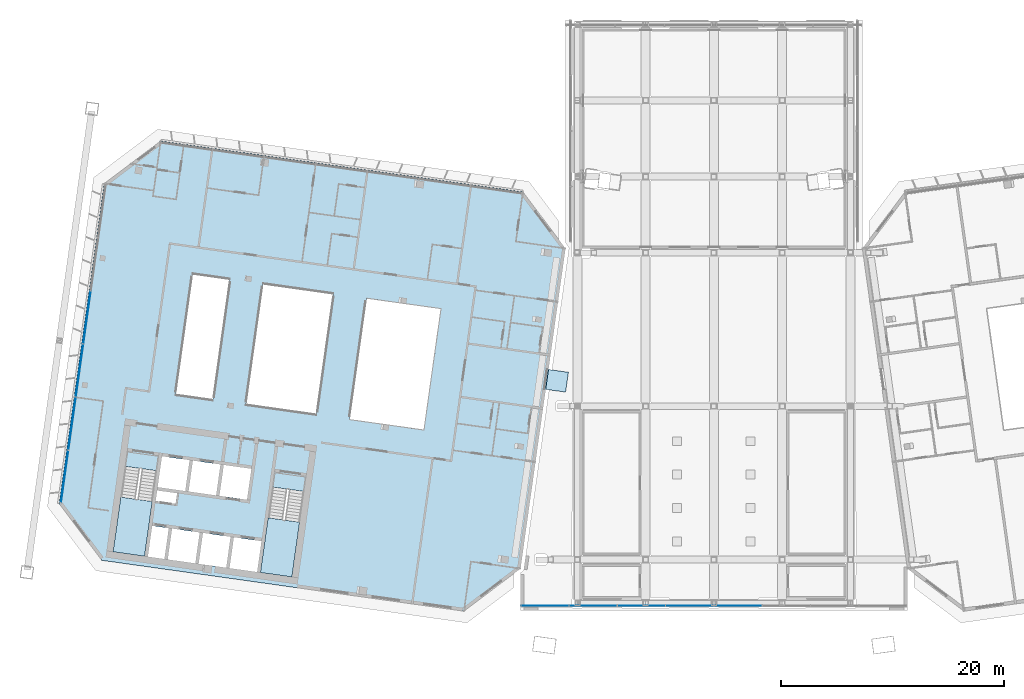
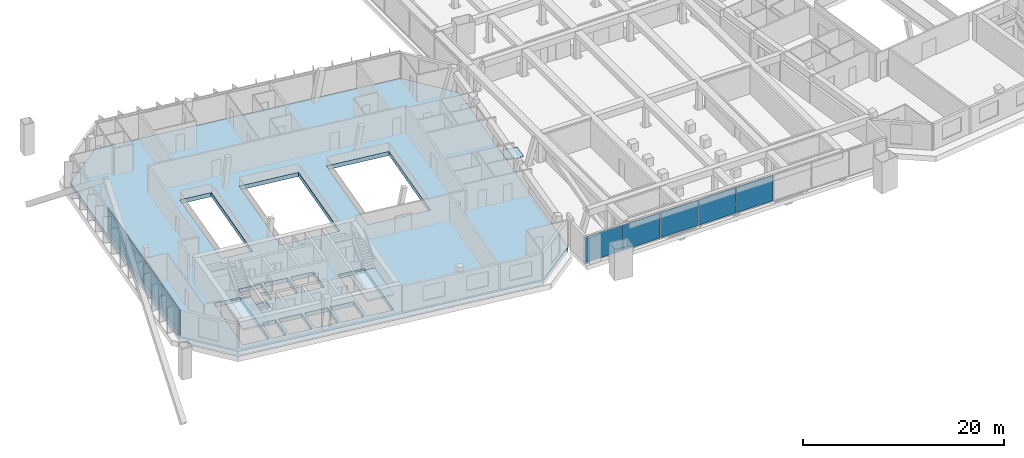
# One storey, part 13 of 28: 10 plates, 3 slabs, 4 elements without a shape of their own.
"""IFC4 building model written with IfcOpenShell, lengths in metres."""

from ifc_helpers import new_model, si_unit, direction, frame, origin, origin_2d, place, context, subcontext, project, spatial, polyline, rectangle, outline, extrude, material, layer, layer_set, type_object, element, aggregate, save


model = new_model("IFC4")

# Units and contexts
model_context = context("Model", 3, precision=1e-05, world=origin(), true_north=direction((0.0, 1.0)))
body_context = subcontext(model_context, "Body", "Model", "MODEL_VIEW")
ifc_project = project(units=[si_unit("LENGTHUNIT", "METRE"), si_unit("AREAUNIT", "SQUARE_METRE"), si_unit("VOLUMEUNIT", "CUBIC_METRE"), si_unit("PLANEANGLEUNIT", "RADIAN"), si_unit("MASSUNIT", "GRAM", prefix="KILO")], contexts=[model_context])

# Site, building, storey
site_placement = place(None, origin())
site = spatial("IfcSite", under=ifc_project, at=site_placement, CompositionType="ELEMENT")
building_placement = place(site_placement, origin())
building = spatial("IfcBuilding", under=site, at=building_placement, Name="Mirante Cascada Hotel Towers", CompositionType="ELEMENT")
storey_placement = place(building_placement, frame((0.0, 0.0, 262.2)))
storey = spatial("IfcBuildingStorey", under=building, at=storey_placement, Name="L63", CompositionType="ELEMENT", Elevation=262.2)

# Curtain wall, plates
ifc_material_1 = material(Name="Aluminium mullion and transom frame with clear laminated glass", Category="aluminium")
curtain_wall_type_1 = type_object("IfcCurtainWallType", Name="End ribbon curtain wall ECW2", PredefinedType="NOTDEFINED", material=ifc_material_1)
curtain_wall_1_placement = place(storey_placement, origin())
curtain_wall_1 = element("IfcCurtainWall", 1, at=curtain_wall_1_placement, inside=storey, type_object=curtain_wall_type_1, Name="Outer end wall T1 L63", PredefinedType="NOTDEFINED")
ifc_material_2 = material(Name="Clear laminated glass", Category="glass")
ifc_layer_1 = layer(ifc_material_2, 0.034)
ifc_layer_set_1 = layer_set([ifc_layer_1], Name="ECW2 glass panel 34")
plate_type_1 = type_object("IfcPlateType", Name="ECW2 glass panel 34", PredefinedType="CURTAIN_PANEL", material=ifc_layer_set_1)
plate_1_placement = place(storey_placement, frame((-58.2609, -10.1616, 0.1), z_axis=(0.0, 0.0, 1.0), x_axis=(0.1391731, 0.9902681, 0.0)))
plate_1 = element("IfcPlate", 2, at=plate_1_placement, type_object=plate_type_1, Name="ECW2 panel 1", PredefinedType="CURTAIN_PANEL", context=body_context, shape_type="SweptSolid", body=[
    extrude(rectangle(XDim=4.7151, YDim=0.034, at=origin_2d()), origin(), (0.0, 0.0, 1.0), 3.1),
])
plate_2_placement = place(storey_placement, frame((-57.5934, -5.4119, 0.1), z_axis=(0.0, 0.0, 1.0), x_axis=(0.1391731, 0.9902681, 0.0)))
plate_2 = element("IfcPlate", 3, at=plate_2_placement, type_object=plate_type_1, Name="ECW2 panel 2", PredefinedType="CURTAIN_PANEL", context=body_context, shape_type="SweptSolid", body=[
    extrude(rectangle(XDim=4.7476, YDim=0.034, at=origin_2d()), origin(), (0.0, 0.0, 1.0), 3.1),
])
plate_3_placement = place(storey_placement, frame((-56.9236, -0.6461, 0.1), z_axis=(0.0, 0.0, 1.0), x_axis=(0.1391731, 0.9902681, 0.0)))
plate_3 = element("IfcPlate", 4, at=plate_3_placement, type_object=plate_type_1, Name="ECW2 panel 3", PredefinedType="CURTAIN_PANEL", context=body_context, shape_type="SweptSolid", body=[
    extrude(rectangle(XDim=4.7476, YDim=0.034, at=origin_2d()), origin(), (0.0, 0.0, 1.0), 3.1),
])
plate_4_placement = place(storey_placement, frame((-56.2538, 4.1197, 0.1), z_axis=(0.0, 0.0, 1.0), x_axis=(0.1391731, 0.9902681, 0.0)))
plate_4 = element("IfcPlate", 5, at=plate_4_placement, type_object=plate_type_1, Name="ECW2 panel 4", PredefinedType="CURTAIN_PANEL", context=body_context, shape_type="SweptSolid", body=[
    extrude(rectangle(XDim=4.7476, YDim=0.034, at=origin_2d()), origin(), (0.0, 0.0, 1.0), 3.1),
])
aggregate(curtain_wall_1, [plate_1, plate_2, plate_3, plate_4])

ifc_material_3 = material(Name="Aluminium mullion and transom frame with clear laminated glass", Category="aluminium")
curtain_wall_type_2 = type_object("IfcCurtainWallType", Name="Sky park deck curtain wall ECW5", PredefinedType="NOTDEFINED", material=ifc_material_3)
curtain_wall_2_placement = place(storey_placement, origin())
curtain_wall_2 = element("IfcCurtainWall", 6, at=curtain_wall_2_placement, inside=storey, type_object=curtain_wall_type_2, Name="Sky park glazing L63 run 1", PredefinedType="NOTDEFINED")
ifc_material_4 = material(Name="Clear laminated glass", Category="glass")
ifc_layer_2 = layer(ifc_material_4, 0.032)
ifc_layer_set_2 = layer_set([ifc_layer_2], Name="ECW5 glass panel 32")
plate_type_2 = type_object("IfcPlateType", Name="ECW5 glass panel 32", PredefinedType="CURTAIN_PANEL", material=ifc_layer_set_2)
plate_5_placement = place(storey_placement, frame((-15.1664, -21.7525, 0.09), z_axis=(0.0, 0.0, 1.0), x_axis=(1.0, 0.0, 0.0)))
plate_5 = element("IfcPlate", 7, at=plate_5_placement, type_object=plate_type_2, Name="ECW5 panel 1", PredefinedType="CURTAIN_PANEL", context=body_context, shape_type="SweptSolid", body=[
    extrude(rectangle(XDim=4.2475, YDim=0.032, at=origin_2d()), origin(), (0.0, 0.0, 1.0), 3.12),
])
ifc_material_5 = material(Name="Insulated aluminium spandrel panel", Category="aluminium")
ifc_layer_3 = layer(ifc_material_5, 0.032)
ifc_layer_set_3 = layer_set([ifc_layer_3], Name="ECW5 spandrel panel 32")
plate_type_3 = type_object("IfcPlateType", Name="ECW5 spandrel panel 32", PredefinedType="CURTAIN_PANEL", material=ifc_layer_set_3)
plate_6_placement = place(storey_placement, frame((-10.8439, -21.7525, 0.09), z_axis=(0.0, 0.0, 1.0), x_axis=(1.0, 0.0, 0.0)))
plate_6 = element("IfcPlate", 8, at=plate_6_placement, type_object=plate_type_3, Name="ECW5 panel 2", PredefinedType="CURTAIN_PANEL", context=body_context, shape_type="SweptSolid", body=[
    extrude(rectangle(XDim=4.2775, YDim=0.032, at=origin_2d()), origin(), (0.0, 0.0, 1.0), 3.12),
])
plate_7_placement = place(storey_placement, frame((-6.5063, -21.7525, 0.09), z_axis=(0.0, 0.0, 1.0), x_axis=(1.0, 0.0, 0.0)))
plate_7 = element("IfcPlate", 9, at=plate_7_placement, type_object=plate_type_3, Name="ECW5 panel 3", PredefinedType="CURTAIN_PANEL", context=body_context, shape_type="SweptSolid", body=[
    extrude(rectangle(XDim=4.2775, YDim=0.032, at=origin_2d()), origin(), (0.0, 0.0, 1.0), 3.12),
])
plate_8_placement = place(storey_placement, frame((-2.1688, -21.7525, 0.09), z_axis=(0.0, 0.0, 1.0), x_axis=(1.0, 0.0, 0.0)))
plate_8 = element("IfcPlate", 10, at=plate_8_placement, type_object=plate_type_3, Name="ECW5 panel 4", PredefinedType="CURTAIN_PANEL", context=body_context, shape_type="SweptSolid", body=[
    extrude(rectangle(XDim=4.2775, YDim=0.032, at=origin_2d()), origin(), (0.0, 0.0, 1.0), 3.12),
])
plate_9_placement = place(storey_placement, frame((2.1688, -21.7525, 0.09), z_axis=(0.0, 0.0, 1.0), x_axis=(1.0, 0.0, 0.0)))
plate_9 = element("IfcPlate", 11, at=plate_9_placement, type_object=plate_type_3, Name="ECW5 panel 5", PredefinedType="CURTAIN_PANEL", context=body_context, shape_type="SweptSolid", body=[
    extrude(rectangle(XDim=4.2775, YDim=0.032, at=origin_2d()), origin(), (0.0, 0.0, 1.0), 3.12),
])
aggregate(curtain_wall_2, [plate_5, plate_6, plate_7, plate_8, plate_9])

# Stair, slab
ifc_material_6 = material(Name="Concrete C35/45", Category="concrete")
stair_type = type_object("IfcStairType", Name="Exit stair half-turn 1350 concrete C35/45", PredefinedType="HALF_TURN_STAIR", material=ifc_material_6)
stair_1_placement = place(storey_placement, origin())
stair_1 = element("IfcStair", 12, at=stair_1_placement, inside=storey, type_object=stair_type, Name="L63 Exit stair A", PredefinedType="HALF_TURN_STAIR")
ifc_material_7 = material(Name="Concrete C35/45", Category="concrete")
ifc_layer_4 = layer(ifc_material_7, 0.2)
ifc_layer_set_4 = layer_set([ifc_layer_4], Name="Exit stair landing 200 concrete C35/45")
slab_type_1 = type_object("IfcSlabType", Name="Exit stair landing 200 concrete C35/45", PredefinedType="LANDING", material=ifc_layer_set_4)
slab_1_placement = place(storey_placement, frame((0.0, 0.0, 1.7)))
slab_1 = element("IfcSlab", 13, at=slab_1_placement, type_object=slab_type_1, Name="ST1-A landing 1", PredefinedType="LANDING", context=body_context, shape_type="SweptSolid", body=[
    extrude(outline(polyline([(-39.9987, -13.8659), (-40.6887, -18.7757), (-37.8665, -19.1723), (-37.1765, -14.2626), (-39.9987, -13.8659)])), origin(), (0.0, 0.0, 1.0), 0.2),
])
aggregate(stair_1, [slab_1])

stair_2_placement = place(storey_placement, origin())
stair_2 = element("IfcStair", 14, at=stair_2_placement, inside=storey, type_object=stair_type, Name="L63 Exit stair B", PredefinedType="HALF_TURN_STAIR")
slab_2_placement = place(storey_placement, frame((0.0, 0.0, 1.7)))
slab_2 = element("IfcSlab", 15, at=slab_2_placement, type_object=slab_type_1, Name="ST1-B landing 1", PredefinedType="LANDING", context=body_context, shape_type="SweptSolid", body=[
    extrude(outline(polyline([(-53.2188, -12.008), (-53.9088, -16.9177), (-51.0866, -17.3144), (-50.3965, -12.4046), (-53.2188, -12.008)])), origin(), (0.0, 0.0, 1.0), 0.2),
])
aggregate(stair_2, [slab_2])

# Plate
ifc_material_8 = material(Name="Stainless steel AISI 316", Category="steel")
ifc_layer_5 = layer(ifc_material_8, 0.015)
ifc_layer_set_5 = layer_set([ifc_layer_5], Name="Joint cover plate 15 stainless")
plate_type_4 = type_object("IfcPlateType", Name="Joint cover plate 15 stainless", PredefinedType="SHEET", material=ifc_layer_set_5)
plate_10_placement = place(storey_placement, frame((-14.0738, -1.5753, 0.0), z_axis=(0.0, 0.0, 1.0), x_axis=(0.9902681, -0.1391731, 0.0)))
element("IfcPlate", 16, at=plate_10_placement, inside=storey, type_object=plate_type_4, Name="Movement joint cover plate D1-63-91", PredefinedType="SHEET", context=body_context, shape_type="SweptSolid", body=[
    extrude(rectangle(XDim=1.8, YDim=1.8, at=origin_2d()), origin(), (0.0, 0.0, 1.0), 0.015),
])

# Slab
ifc_material_9 = material(Name="Concrete C40/50", Category="concrete")
ifc_layer_6 = layer(ifc_material_9, 0.5)
ifc_layer_set_6 = layer_set([ifc_layer_6], Name="Post-tensioned flat plate 500 Concrete C40/50")
slab_type_2 = type_object("IfcSlabType", Name="Post-tensioned flat plate 500 Concrete C40/50", PredefinedType="FLOOR", material=ifc_layer_set_6)
slab_3_placement = place(storey_placement, frame((0.0, 0.0, -0.5)))
element("IfcSlab", 17, at=slab_3_placement, inside=storey, type_object=slab_type_2, Name="Floor T1 L63", PredefinedType="FLOOR", context=body_context, shape_type="SweptSolid", body=[
    extrude(outline(polyline([(-17.3502, -18.4203), (-13.3142, 10.2975), (-17.1441, 15.3799), (-49.6367, 19.9465), (-54.7192, 16.1166), (-58.7552, -12.6012), (-54.9253, -17.6837), (-22.4327, -22.2502), (-17.3502, -18.4203)]), holes=[polyline([(-40.5961, -15.9612), (-40.9858, -18.7339), (-43.4615, -18.386), (-43.0718, -15.6132), (-40.5961, -15.9612)]), polyline([(-43.3689, -15.5715), (-43.7586, -18.3442), (-46.2342, -17.9963), (-45.8446, -15.2236), (-43.3689, -15.5715)]), polyline([(-37.8665, -19.1723), (-40.6887, -18.7757), (-39.611, -11.107), (-36.7887, -11.5037), (-37.8665, -19.1723)]), polyline([(-43.9775, -9.124), (-41.5018, -9.472), (-41.8915, -12.2447), (-44.3672, -11.8968), (-43.9775, -9.124)]), polyline([(-46.7503, -8.7344), (-44.2746, -9.0823), (-44.6643, -11.855), (-47.1399, -11.5071), (-46.7503, -8.7344)]), polyline([(-26.017, -5.9932), (-32.7006, -5.0539), (-31.1697, 5.8391), (-24.4861, 4.8998), (-26.017, -5.9932)]), polyline([(-41.9842, -3.7491), (-41.9842, -3.7491), (-40.4533, 7.1438), (-34.1425, 6.2569), (-35.6734, -4.6361), (-41.9842, -3.7491)]), polyline([(-48.298, -2.8618), (-46.7671, 8.0312), (-43.4261, 7.5616), (-44.957, -3.3313), (-44.957, -3.3313), (-48.298, -2.8618)]), polyline([(-48.6173, -14.8339), (-46.1416, -15.1818), (-46.5313, -17.9546), (-49.007, -17.6066), (-48.6173, -14.8339)]), polyline([(-50.3998, -14.5834), (-48.9144, -14.7921), (-49.3041, -17.5649), (-50.7895, -17.3561), (-50.3998, -14.5834)]), polyline([(-51.0866, -17.3144), (-53.9088, -16.9177), (-52.8311, -9.2491), (-50.0088, -9.6457), (-51.0866, -17.3144)]), polyline([(-49.9544, -11.4145), (-48.1472, -11.6685), (-48.2829, -12.634), (-50.0901, -12.38), (-49.9544, -11.4145)]), polyline([(-49.523, -8.3447), (-47.0473, -8.6926), (-47.437, -11.4654), (-49.9127, -11.1174), (-49.523, -8.3447)])]), origin(), (0.0, 0.0, 1.0), 0.5),
])

save(model, "model.ifc")
